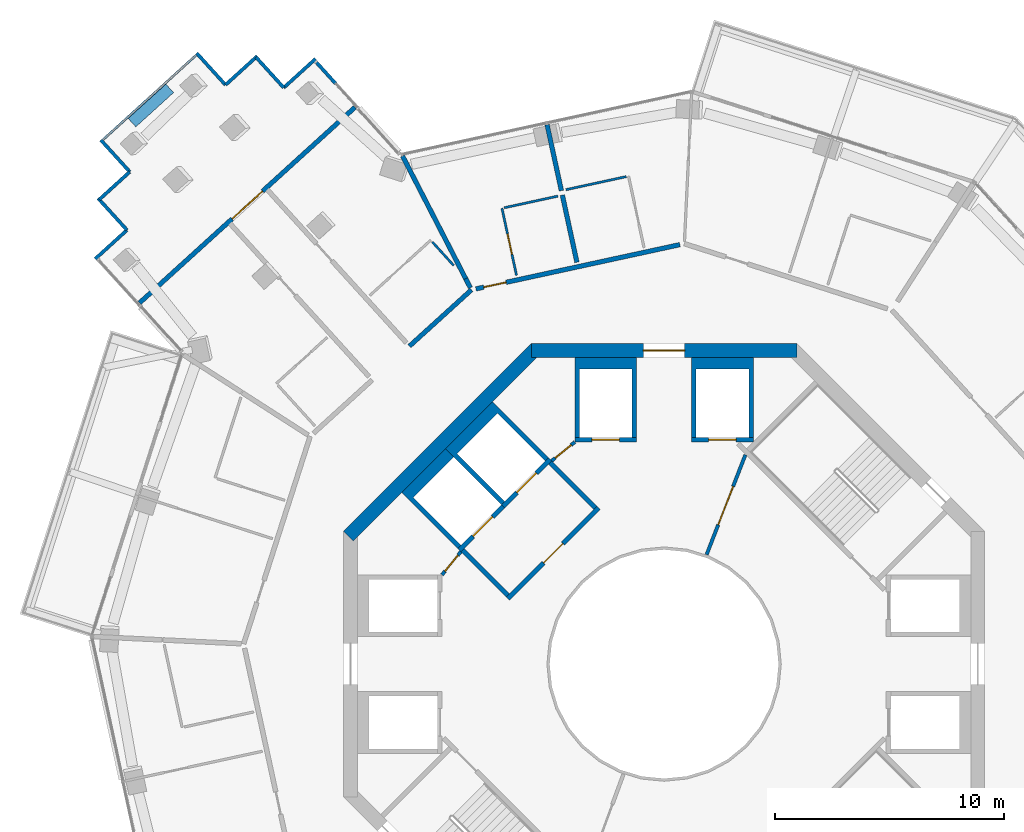
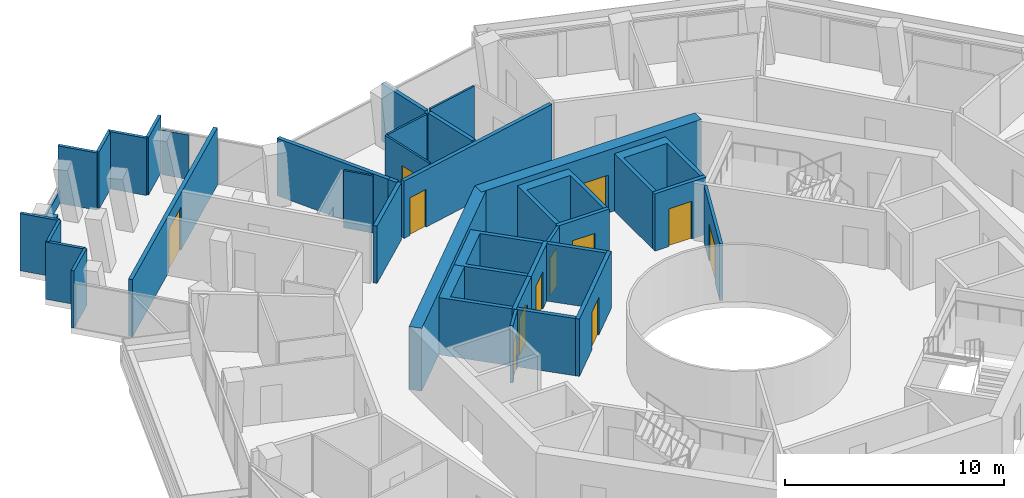
# One storey, part 18 of 23: 38 walls, 12 doors, 12 openings.
"""IFC4 building model written with IfcOpenShell, lengths in metres."""

from ifc_helpers import new_model, si_unit, direction, frame, frame_2d, origin, place, context, subcontext, project, spatial, polyline, rectangle, outline, extrude, material, layer, layer_set, type_object, element, fill, save


model = new_model("IFC4")

# Units and contexts
model_context = context("Model", 3, precision=1e-05, world=origin(), true_north=direction((0.0, 1.0)))
body_context = subcontext(model_context, "Body", "Model", "MODEL_VIEW")
ifc_project = project(units=[si_unit("LENGTHUNIT", "METRE"), si_unit("AREAUNIT", "SQUARE_METRE"), si_unit("VOLUMEUNIT", "CUBIC_METRE"), si_unit("PLANEANGLEUNIT", "RADIAN"), si_unit("MASSUNIT", "GRAM", prefix="KILO")], contexts=[model_context])

# Site, building, storey
site_placement = place(None, origin())
site = spatial("IfcSite", under=ifc_project, at=site_placement, CompositionType="ELEMENT")
building_placement = place(site_placement, origin())
building = spatial("IfcBuilding", under=site, at=building_placement, Name="Verdalira Terraces Hotel", CompositionType="ELEMENT")
storey_placement = place(building_placement, frame((0.0, 0.0, 205.5)))
storey = spatial("IfcBuildingStorey", under=building, at=storey_placement, Name="L50", CompositionType="ELEMENT", Elevation=205.5)

# Wall
ifc_material_1 = material(Name="Moisture-resistant gypsum board partition")
ifc_layer_1 = layer(ifc_material_1, 0.10009765625)
ifc_layer_set_1 = layer_set([ifc_layer_1], Name="Bathroom partition 100 mm")
wall_type_1 = type_object("IfcWallType", Name="Bathroom partition 100 mm", PredefinedType="PARTITIONING", material=ifc_layer_set_1)
wall_1_placement = place(storey_placement, frame((-10.125244, 18.439941, 0.0), z_axis=(0.0, 0.0, 1.0), x_axis=(0.672246935, -0.740326994, 0.0)))
element("IfcWall", 1, at=wall_1_placement, inside=storey, type_object=wall_type_1, Name="Bathroom partition", PredefinedType="PARTITIONING", context=body_context, shape_type="SweptSolid", body=[
    extrude(rectangle(XDim=1.398682, YDim=0.100098, at=frame_2d((0.699219, 0.0))), origin(), (0.0, 0.0, 1.0), 3.189941),
])

# Wall, opening, door
wall_2_placement = place(storey_placement, frame((-7.081787, 19.909424, 0.0), z_axis=(0.0, 0.0, 1.0), x_axis=(0.212007276, -0.977268088, 0.0)))
wall_2 = element("IfcWall", 2, at=wall_2_placement, inside=storey, type_object=wall_type_1, Name="Bathroom partition", PredefinedType="PARTITIONING", context=body_context, shape_type="SweptSolid", body=[
    extrude(rectangle(XDim=2.999756, YDim=0.100098, at=frame_2d((1.5, 0.0))), origin(), (0.0, 0.0, 1.0), 3.189941),
])
opening_1_placement = place(wall_2_placement, frame((1.149902, 0.0, 0.0)))
opening_1 = element("IfcOpeningElement", 3, at=opening_1_placement, cuts=wall_2, Name="Opening L50-134", PredefinedType="OPENING", context=body_context, shape_type="SweptSolid", body=[
    extrude(rectangle(XDim=0.899902, YDim=2.100098, at=frame_2d((0.449951, 1.050049))), frame((0.0, 0.060059, 0.0), z_axis=(0.0, -1.0, 0.0), x_axis=(1.0, 0.0, 0.0)), (0.0, 0.0, 1.0), 0.120117),
])
ifc_material_2 = material(Name="Timber door", Category="wood")
door_type_1 = type_object("IfcDoorType", Name="Bathroom door 900 x 2100", OperationType="NOTDEFINED", PredefinedType="DOOR", material=ifc_material_2)
door_1_placement = place(opening_1_placement, origin())
door_1 = element("IfcDoor", 4, at=door_1_placement, inside=storey, type_object=door_type_1, Name="Bathroom door 5013", OperationType="SINGLE_SWING_LEFT", OverallHeight=2.10009765625, OverallWidth=0.89990234375, PredefinedType="DOOR", context=body_context, shape_type="SweptSolid", body=[
    extrude(rectangle(XDim=0.899902, YDim=2.100098, at=frame_2d((0.449951, 1.050049))), frame((0.0, 0.024902, 0.0), z_axis=(0.0, -1.0, 0.0), x_axis=(1.0, 0.0, 0.0)), (0.0, 0.0, 1.0), 0.050049),
])
fill(opening_1, door_1)

# Walls
wall_3_placement = place(storey_placement, frame((-6.984131, 19.930664, 0.0), z_axis=(0.0, 0.0, 1.0), x_axis=(0.977266258, 0.212015707, 0.0)))
element("IfcWall", 5, at=wall_3_placement, inside=storey, type_object=wall_type_1, Name="Bathroom partition", PredefinedType="PARTITIONING", context=body_context, shape_type="SweptSolid", body=[
    extrude(rectangle(XDim=2.399658, YDim=0.100098, at=frame_2d((1.199707, 0.0))), origin(), (0.0, 0.0, 1.0), 3.189941),
])
wall_4_placement = place(storey_placement, frame((-1.651611, 21.292236, 0.0), z_axis=(0.0, 0.0, 1.0), x_axis=(-0.977261971, -0.212035467, 0.0)))
element("IfcWall", 6, at=wall_4_placement, inside=storey, type_object=wall_type_1, Name="Bathroom partition", PredefinedType="PARTITIONING", context=body_context, shape_type="SweptSolid", body=[
    extrude(rectangle(XDim=2.699951, YDim=0.100098, at=frame_2d((1.350098, 0.0))), origin(), (0.0, 0.0, 1.0), 3.189941),
])
ifc_material_3 = material(Name="Concrete C50", Category="concrete")
ifc_layer_2 = layer(ifc_material_3, 0.199951171875)
ifc_layer_set_2 = layer_set([ifc_layer_2], Name="Core RC wall 200 C50")
wall_type_2 = type_object("IfcWallType", Name="Core RC wall 200 C50", PredefinedType="SOLIDWALL", material=ifc_layer_set_2)
wall_5_placement = place(storey_placement, origin())
element("IfcWall", 7, at=wall_5_placement, inside=storey, type_object=wall_type_2, Name="L50 shaft wall N1", PredefinedType="SOLIDWALL", context=body_context, shape_type="SweptSolid", body=[
    extrude(outline(polyline([(3.899902, 9.899902), (3.699951, 9.899902), (3.699951, 12.899902), (1.399902, 12.899902), (1.399902, 9.899902), (1.199951, 9.899902), (1.199951, 13.399902), (3.899902, 13.399902), (3.899902, 9.899902)])), origin(), (0.0, 0.0, 1.0), 3.189941),
])

# Wall, opening, door
wall_6_placement = place(storey_placement, frame((1.199951, 9.800049, 0.0), z_axis=(0.0, 0.0, 1.0), x_axis=(1.0, 0.0, 0.0)))
wall_6 = element("IfcWall", 8, at=wall_6_placement, inside=storey, type_object=wall_type_2, Name="L50 shaft front wall N1", PredefinedType="SOLIDWALL", context=body_context, shape_type="SweptSolid", body=[
    extrude(rectangle(XDim=2.699951, YDim=0.199951, at=frame_2d((1.350098, 0.0))), origin(), (0.0, 0.0, 1.0), 3.189941),
])
opening_2_placement = place(wall_6_placement, frame((0.75, 0.0, 0.0)))
opening_2 = element("IfcOpeningElement", 9, at=opening_2_placement, cuts=wall_6, Name="Opening LD-L50-804", PredefinedType="OPENING", context=body_context, shape_type="SweptSolid", body=[
    extrude(rectangle(XDim=1.199951, YDim=2.100098, at=frame_2d((0.600098, 1.050049))), frame((0.0, 0.109863, 0.0), z_axis=(0.0, -1.0, 0.0), x_axis=(1.0, 0.0, 0.0)), (0.0, 0.0, 1.0), 0.219971),
])
ifc_material_4 = material(Name="Stainless steel", Category="steel")
door_type_2 = type_object("IfcDoorType", Name="Landing door 1200 x 2100", OperationType="NOTDEFINED", PredefinedType="DOOR", material=ifc_material_4)
door_2_placement = place(opening_2_placement, origin())
door_2 = element("IfcDoor", 10, at=door_2_placement, inside=storey, type_object=door_type_2, Name="Lift landing door HR3 L50", OperationType="DOUBLE_DOOR_SLIDING", OverallHeight=2.10009765625, OverallWidth=1.199951171875, PredefinedType="DOOR", context=body_context, shape_type="SweptSolid", body=[
    extrude(rectangle(XDim=1.199951, YDim=2.100098, at=frame_2d((0.600098, 1.050049))), frame((0.0, 0.024902, 0.0), z_axis=(0.0, -1.0, 0.0), x_axis=(1.0, 0.0, 0.0)), (0.0, 0.0, 1.0), 0.050049),
])
fill(opening_2, door_2)

# Wall
wall_7_placement = place(storey_placement, origin())
element("IfcWall", 11, at=wall_7_placement, inside=storey, type_object=wall_type_2, Name="L50 shaft wall N2", PredefinedType="SOLIDWALL", context=body_context, shape_type="SweptSolid", body=[
    extrude(outline(polyline([(-3.899902, 13.399902), (-1.199951, 13.399902), (-1.199951, 9.899902), (-1.399902, 9.899902), (-1.399902, 12.899902), (-3.699951, 12.899902), (-3.699951, 9.899902), (-3.899902, 9.899902), (-3.899902, 13.399902)])), origin(), (0.0, 0.0, 1.0), 3.189941),
])

# Wall, opening, door
wall_8_placement = place(storey_placement, frame((-1.199951, 9.800049, 0.0), z_axis=(0.0, 0.0, 1.0), x_axis=(-1.0, 0.0, 0.0)))
wall_8 = element("IfcWall", 12, at=wall_8_placement, inside=storey, type_object=wall_type_2, Name="L50 shaft front wall N2", PredefinedType="SOLIDWALL", context=body_context, shape_type="SweptSolid", body=[
    extrude(rectangle(XDim=2.699951, YDim=0.199951, at=frame_2d((1.350098, 0.0))), origin(), (0.0, 0.0, 1.0), 3.189941),
])
opening_3_placement = place(wall_8_placement, frame((0.75, 0.0, 0.0)))
opening_3 = element("IfcOpeningElement", 13, at=opening_3_placement, cuts=wall_8, Name="Opening LD-L50-805", PredefinedType="OPENING", context=body_context, shape_type="SweptSolid", body=[
    extrude(rectangle(XDim=1.199951, YDim=2.100098, at=frame_2d((0.600098, 1.050049))), frame((0.0, 0.109863, 0.0), z_axis=(0.0, -1.0, 0.0), x_axis=(1.0, 0.0, 0.0)), (0.0, 0.0, 1.0), 0.219971),
])
door_3_placement = place(opening_3_placement, origin())
door_3 = element("IfcDoor", 14, at=door_3_placement, inside=storey, type_object=door_type_2, Name="Lift landing door HR4 L50", OperationType="DOUBLE_DOOR_SLIDING", OverallHeight=2.10009765625, OverallWidth=1.199951171875, PredefinedType="DOOR", context=body_context, shape_type="SweptSolid", body=[
    extrude(rectangle(XDim=1.199951, YDim=2.100098, at=frame_2d((0.600098, 1.050049))), frame((0.0, 0.024902, 0.0), z_axis=(0.0, -1.0, 0.0), x_axis=(1.0, 0.0, 0.0)), (0.0, 0.0, 1.0), 0.050049),
])
fill(opening_3, door_3)

# Wall
wall_9_placement = place(storey_placement, origin())
element("IfcWall", 15, at=wall_9_placement, inside=storey, type_object=wall_type_2, Name="L50 shaft wall F1", PredefinedType="SOLIDWALL", context=body_context, shape_type="SweptSolid", body=[
    extrude(outline(polyline([(-9.545898, 9.404541), (-7.495361, 11.455078), (-5.055908, 9.015625), (-5.197266, 8.874268), (-7.283203, 10.960205), (-9.051025, 9.192383), (-6.965088, 7.106445), (-7.106445, 6.965088), (-9.545898, 9.404541)])), origin(), (0.0, 0.0, 1.0), 3.189941),
])

# Wall, opening, door
wall_10_placement = place(storey_placement, frame((-4.985107, 8.944824, 0.0), z_axis=(0.0, 0.0, 1.0), x_axis=(-0.707106781, -0.707106781, 0.0)))
wall_10 = element("IfcWall", 16, at=wall_10_placement, inside=storey, type_object=wall_type_2, Name="L50 shaft front wall F1", PredefinedType="SOLIDWALL", context=body_context, shape_type="SweptSolid", body=[
    extrude(rectangle(XDim=2.899902, YDim=0.199951, at=frame_2d((1.449951, 0.0))), origin(), (0.0, 0.0, 1.0), 3.189941),
])
opening_4_placement = place(wall_10_placement, frame((0.850098, 0.0, 0.0)))
opening_4 = element("IfcOpeningElement", 17, at=opening_4_placement, cuts=wall_10, Name="Opening LD-L50-808", PredefinedType="OPENING", context=body_context, shape_type="SweptSolid", body=[
    extrude(rectangle(XDim=1.199951, YDim=2.100098, at=frame_2d((0.600098, 1.050049))), frame((0.0, 0.109863, 0.0), z_axis=(0.0, -1.0, 0.0), x_axis=(1.0, 0.0, 0.0)), (0.0, 0.0, 1.0), 0.219971),
])
door_4_placement = place(opening_4_placement, origin())
door_4 = element("IfcDoor", 18, at=door_4_placement, inside=storey, type_object=door_type_2, Name="Lift landing door LF11 L50", OperationType="DOUBLE_DOOR_SLIDING", OverallHeight=2.10009765625, OverallWidth=1.199951171875, PredefinedType="DOOR", context=body_context, shape_type="SweptSolid", body=[
    extrude(rectangle(XDim=1.199951, YDim=2.100098, at=frame_2d((0.600098, 1.050049))), frame((0.0, 0.024902, 0.0), z_axis=(0.0, -1.0, 0.0), x_axis=(1.0, 0.0, 0.0)), (0.0, 0.0, 1.0), 0.050049),
])
fill(opening_4, door_4)

# Wall
wall_11_placement = place(storey_placement, origin())
element("IfcWall", 19, at=wall_11_placement, inside=storey, type_object=wall_type_2, Name="L50 shaft wall F2", PredefinedType="SOLIDWALL", context=body_context, shape_type="SweptSolid", body=[
    extrude(outline(polyline([(-11.455078, 7.495361), (-9.545898, 9.404541), (-9.192383, 9.051025), (-10.960205, 7.283203), (-8.874268, 5.197266), (-9.015625, 5.055908), (-11.455078, 7.495361)])), origin(), (0.0, 0.0, 1.0), 3.189941),
])

# Wall, opening, door
wall_12_placement = place(storey_placement, frame((-7.035645, 6.894287, 0.0), z_axis=(0.0, 0.0, 1.0), x_axis=(-0.707106781, -0.707106781, 0.0)))
wall_12 = element("IfcWall", 20, at=wall_12_placement, inside=storey, type_object=wall_type_2, Name="L50 shaft front wall F2", PredefinedType="SOLIDWALL", context=body_context, shape_type="SweptSolid", body=[
    extrude(rectangle(XDim=2.699951, YDim=0.199951, at=frame_2d((1.350098, 0.0))), origin(), (0.0, 0.0, 1.0), 3.189941),
])
opening_5_placement = place(wall_12_placement, frame((0.649902, 0.0, 0.0)))
opening_5 = element("IfcOpeningElement", 21, at=opening_5_placement, cuts=wall_12, Name="Opening LD-L50-809", PredefinedType="OPENING", context=body_context, shape_type="SweptSolid", body=[
    extrude(rectangle(XDim=1.199951, YDim=2.100098, at=frame_2d((0.600098, 1.050049))), frame((0.0, 0.109863, 0.0), z_axis=(0.0, -1.0, 0.0), x_axis=(1.0, 0.0, 0.0)), (0.0, 0.0, 1.0), 0.219971),
])
door_5_placement = place(opening_5_placement, origin())
door_5 = element("IfcDoor", 22, at=door_5_placement, inside=storey, type_object=door_type_2, Name="Lift landing door LF12 L50", OperationType="DOUBLE_DOOR_SLIDING", OverallHeight=2.10009765625, OverallWidth=1.199951171875, PredefinedType="DOOR", context=body_context, shape_type="SweptSolid", body=[
    extrude(rectangle(XDim=1.199951, YDim=2.100098, at=frame_2d((0.600098, 1.050049))), frame((0.0, 0.024902, 0.0), z_axis=(0.0, -1.0, 0.0), x_axis=(1.0, 0.0, 0.0)), (0.0, 0.0, 1.0), 0.050049),
])
fill(opening_5, door_5)

wall_13_placement = place(storey_placement, frame((-2.86377, 6.823486, 0.0), z_axis=(0.0, 0.0, 1.0), x_axis=(-0.707106781, -0.707106781, 0.0)))
wall_13 = element("IfcWall", 23, at=wall_13_placement, inside=storey, type_object=wall_type_2, Name="L50 fire lobby wall", PredefinedType="SOLIDWALL", context=body_context, shape_type="SweptSolid", body=[
    extrude(rectangle(XDim=5.599854, YDim=0.199951, at=frame_2d((2.799805, 0.0))), origin(), (0.0, 0.0, 1.0), 3.189941),
])
opening_6_placement = place(wall_13_placement, frame((2.199951, 0.0, 0.0)))
opening_6 = element("IfcOpeningElement", 24, at=opening_6_placement, cuts=wall_13, Name="Opening L50-819", PredefinedType="OPENING", context=body_context, shape_type="SweptSolid", body=[
    extrude(rectangle(XDim=1.199951, YDim=2.100098, at=frame_2d((0.600098, 1.050049))), frame((0.0, 0.109863, 0.0), z_axis=(0.0, -1.0, 0.0), x_axis=(1.0, 0.0, 0.0)), (0.0, 0.0, 1.0), 0.219971),
])
ifc_material_5 = material(Name="Steel fire door", Category="steel")
door_type_3 = type_object("IfcDoorType", Name="Lobby door 1200 x 2100", OperationType="NOTDEFINED", PredefinedType="DOOR", material=ifc_material_5)
door_6_placement = place(opening_6_placement, origin())
door_6 = element("IfcDoor", 25, at=door_6_placement, inside=storey, type_object=door_type_3, Name="Fire lobby door L50", OperationType="SINGLE_SWING_LEFT", OverallHeight=2.10009765625, OverallWidth=1.199951171875, PredefinedType="DOOR", context=body_context, shape_type="SweptSolid", body=[
    extrude(rectangle(XDim=1.199951, YDim=2.100098, at=frame_2d((0.600098, 1.050049))), frame((0.0, 0.024902, 0.0), z_axis=(0.0, -1.0, 0.0), x_axis=(1.0, 0.0, 0.0)), (0.0, 0.0, 1.0), 0.050049),
])
fill(opening_6, door_6)

# Walls
for number, where, z_axis, x_axis, name in (
    (26, (-3.005127, 6.823486, 0.0), (0.0, 0.0, 1.0), (-0.707106781, 0.707106781, 0.0), "L50 fire lobby wall"),
    (27, (-6.823486, 3.005127, 0.0), (0.0, 0.0, 1.0), (-0.707106781, 0.707106781, 0.0), "L50 fire lobby wall"),
):
    element("IfcWall", number, at=place(storey_placement, frame(where, z_axis=z_axis, x_axis=x_axis)), inside=storey, type_object=wall_type_2, Name=name, PredefinedType="SOLIDWALL", context=body_context, shape_type="SweptSolid", body=[
        extrude(rectangle(XDim=2.800049, YDim=0.199951, at=frame_2d((1.399902, 0.0))), origin(), (0.0, 0.0, 1.0), 3.189941),
    ])

# Wall, opening, door
ifc_material_6 = material(Name="Gypsum board partition")
ifc_layer_3 = layer(ifc_material_6, 0.14990234375)
ifc_layer_set_3 = layer_set([ifc_layer_3], Name="Core partition 150 mm")
wall_type_3 = type_object("IfcWallType", Name="Core partition 150 mm", PredefinedType="PARTITIONING", material=ifc_layer_set_3)
wall_14_placement = place(storey_placement, frame((-3.899902, 9.699951, 0.0), z_axis=(0.0, 0.0, 1.0), x_axis=(-0.775559878, -0.631274009, 0.0)))
wall_14 = element("IfcWall", 28, at=wall_14_placement, inside=storey, type_object=wall_type_3, Name="Room partition L50", PredefinedType="PARTITIONING", context=body_context, shape_type="SweptSolid", body=[
    extrude(rectangle(XDim=1.307861, YDim=0.149902, at=frame_2d((0.653809, 0.0))), origin(), (0.0, 0.0, 1.0), 3.189941),
])
opening_7_placement = place(wall_14_placement, frame((0.204102, 0.0, 0.0)))
opening_7 = element("IfcOpeningElement", 29, at=opening_7_placement, cuts=wall_14, Name="Opening L50-820", PredefinedType="OPENING", context=body_context, shape_type="SweptSolid", body=[
    extrude(rectangle(XDim=0.899902, YDim=2.100098, at=frame_2d((0.449951, 1.050049))), frame((0.0, 0.084961, 0.0), z_axis=(0.0, -1.0, 0.0), x_axis=(1.0, 0.0, 0.0)), (0.0, 0.0, 1.0), 0.169922),
])
ifc_material_7 = material(Name="Steel fire door", Category="steel")
door_type_4 = type_object("IfcDoorType", Name="Core room door 900 x 2100", OperationType="NOTDEFINED", PredefinedType="DOOR", material=ifc_material_7)
door_7_placement = place(opening_7_placement, origin())
door_7 = element("IfcDoor", 30, at=door_7_placement, inside=storey, type_object=door_type_4, Name="Door L50 room2", OperationType="SINGLE_SWING_LEFT", OverallHeight=2.10009765625, OverallWidth=0.89990234375, PredefinedType="DOOR", context=body_context, shape_type="SweptSolid", body=[
    extrude(rectangle(XDim=0.899902, YDim=2.100098, at=frame_2d((0.449951, 1.050049))), frame((0.0, 0.024902, 0.0), z_axis=(0.0, -1.0, 0.0), x_axis=(1.0, 0.0, 0.0)), (0.0, 0.0, 1.0), 0.050049),
])
fill(opening_7, door_7)

wall_15_placement = place(storey_placement, frame((-8.874268, 4.914307, 0.0), z_axis=(0.0, 0.0, 1.0), x_axis=(-0.631274009, -0.775559878, 0.0)))
wall_15 = element("IfcWall", 31, at=wall_15_placement, inside=storey, type_object=wall_type_3, Name="Room partition L50", PredefinedType="PARTITIONING", context=body_context, shape_type="SweptSolid", body=[
    extrude(rectangle(XDim=1.307861, YDim=0.149902, at=frame_2d((0.653809, 0.0))), origin(), (0.0, 0.0, 1.0), 3.189941),
])
opening_8_placement = place(wall_15_placement, frame((0.204102, 0.0, 0.0)))
opening_8 = element("IfcOpeningElement", 32, at=opening_8_placement, cuts=wall_15, Name="Opening L50-821", PredefinedType="OPENING", context=body_context, shape_type="SweptSolid", body=[
    extrude(rectangle(XDim=0.899902, YDim=2.100098, at=frame_2d((0.449951, 1.050049))), frame((0.0, 0.084961, 0.0), z_axis=(0.0, -1.0, 0.0), x_axis=(1.0, 0.0, 0.0)), (0.0, 0.0, 1.0), 0.169922),
])
door_8_placement = place(opening_8_placement, origin())
door_8 = element("IfcDoor", 33, at=door_8_placement, inside=storey, type_object=door_type_4, Name="Door L50 room3", OperationType="SINGLE_SWING_LEFT", OverallHeight=2.10009765625, OverallWidth=0.89990234375, PredefinedType="DOOR", context=body_context, shape_type="SweptSolid", body=[
    extrude(rectangle(XDim=0.899902, YDim=2.100098, at=frame_2d((0.449951, 1.050049))), frame((0.0, 0.024902, 0.0), z_axis=(0.0, -1.0, 0.0), x_axis=(1.0, 0.0, 0.0)), (0.0, 0.0, 1.0), 0.050049),
])
fill(opening_8, door_8)

wall_16_placement = place(storey_placement, frame((1.857178, 4.781982, 0.0), z_axis=(0.0, 0.0, 1.0), x_axis=(0.362053096, 0.932157474, 0.0)))
wall_16 = element("IfcWall", 34, at=wall_16_placement, inside=storey, type_object=wall_type_3, Name="Gallery fire partition L50", PredefinedType="PARTITIONING", context=body_context, shape_type="SweptSolid", body=[
    extrude(rectangle(XDim=4.675049, YDim=0.149902, at=frame_2d((2.337402, 0.0))), origin(), (0.0, 0.0, 1.0), 3.189941),
])
opening_9_placement = place(wall_16_placement, frame((1.399902, 0.0, 0.0)))
opening_9 = element("IfcOpeningElement", 35, at=opening_9_placement, cuts=wall_16, Name="Opening L50-823", PredefinedType="OPENING", context=body_context, shape_type="SweptSolid", body=[
    extrude(rectangle(XDim=1.800049, YDim=2.100098, at=frame_2d((0.899902, 1.050049))), frame((0.0, 0.084961, 0.0), z_axis=(0.0, -1.0, 0.0), x_axis=(1.0, 0.0, 0.0)), (0.0, 0.0, 1.0), 0.169922),
])
ifc_material_8 = material(Name="Steel fire door", Category="steel")
door_type_5 = type_object("IfcDoorType", Name="Gallery fire door pair 1800 x 2100", OperationType="NOTDEFINED", PredefinedType="DOOR", material=ifc_material_8)
door_9_placement = place(opening_9_placement, origin())
door_9 = element("IfcDoor", 36, at=door_9_placement, inside=storey, type_object=door_type_5, Name="Door L50 split1", OperationType="DOUBLE_DOOR_SINGLE_SWING", OverallHeight=2.10009765625, OverallWidth=1.800048828125, PredefinedType="DOOR", context=body_context, shape_type="SweptSolid", body=[
    extrude(rectangle(XDim=1.800049, YDim=2.100098, at=frame_2d((0.899902, 1.050049))), frame((0.0, 0.024902, 0.0), z_axis=(0.0, -1.0, 0.0), x_axis=(1.0, 0.0, 0.0)), (0.0, 0.0, 1.0), 0.050049),
])
fill(opening_9, door_9)

ifc_material_9 = material(Name="Concrete C60", Category="concrete")
ifc_layer_4 = layer(ifc_material_9, 0.60009765625)
ifc_layer_set_4 = layer_set([ifc_layer_4], Name="Core wall 600 C60")
wall_type_4 = type_object("IfcWallType", Name="Core wall 600 C60", PredefinedType="SHEAR", material=ifc_layer_set_4)
wall_17_placement = place(storey_placement, frame((5.799072, 13.699951, 0.0), z_axis=(0.0, 0.0, 1.0), x_axis=(-1.0, 0.0, 0.0)))
wall_17 = element("IfcWall", 37, at=wall_17_placement, inside=storey, type_object=wall_type_4, Name="Core wall CW-L50-3", PredefinedType="SHEAR", context=body_context, shape_type="SweptSolid", body=[
    extrude(rectangle(XDim=11.598145, YDim=0.600098, at=frame_2d((5.799072, 0.0))), origin(), (0.0, 0.0, 1.0), 3.5),
])
opening_10_placement = place(wall_17_placement, frame((4.898926, 0.0, 0.0)))
opening_10 = element("IfcOpeningElement", 38, at=opening_10_placement, cuts=wall_17, Name="Opening L50-814", PredefinedType="OPENING", context=body_context, shape_type="SweptSolid", body=[
    extrude(rectangle(XDim=1.800049, YDim=2.100098, at=frame_2d((0.899902, 1.050049))), frame((0.0, 0.310059, 0.0), z_axis=(0.0, -1.0, 0.0), x_axis=(1.0, 0.0, 0.0)), (0.0, 0.0, 1.0), 0.620117),
])
ifc_material_10 = material(Name="Steel fire door", Category="steel")
door_type_6 = type_object("IfcDoorType", Name="Core entry door pair 1800 x 2100", OperationType="NOTDEFINED", PredefinedType="DOOR", material=ifc_material_10)
door_10_placement = place(opening_10_placement, origin())
door_10 = element("IfcDoor", 39, at=door_10_placement, inside=storey, type_object=door_type_6, Name="Core entry door L50 2", OperationType="DOUBLE_DOOR_SINGLE_SWING", OverallHeight=2.10009765625, OverallWidth=1.800048828125, PredefinedType="DOOR", context=body_context, shape_type="SweptSolid", body=[
    extrude(rectangle(XDim=1.800049, YDim=2.100098, at=frame_2d((0.899902, 1.050049))), frame((0.0, 0.024902, 0.0), z_axis=(0.0, -1.0, 0.0), x_axis=(1.0, 0.0, 0.0)), (0.0, 0.0, 1.0), 0.050049),
])
fill(opening_10, door_10)

# Walls
wall_18_placement = place(storey_placement, frame((-5.586914, 13.787842, 0.0), z_axis=(0.0, 0.0, 1.0), x_axis=(-0.707106781, -0.707106781, 0.0)))
element("IfcWall", 40, at=wall_18_placement, inside=storey, type_object=wall_type_4, Name="Core wall CW-L50-4", PredefinedType="SHEAR", context=body_context, shape_type="SweptSolid", body=[
    extrude(rectangle(XDim=11.5979, YDim=0.600098, at=frame_2d((5.798828, 0.0))), origin(), (0.0, 0.0, 1.0), 3.5),
])
ifc_material_11 = material(Name="Fire-rated gypsum board wall")
ifc_layer_5 = layer(ifc_material_11, 0.199951171875)
ifc_layer_set_5 = layer_set([ifc_layer_5], Name="Demising wall 200 mm")
wall_type_5 = type_object("IfcWallType", Name="Demising wall 200 mm", PredefinedType="SOLIDWALL", material=ifc_layer_set_5)
wall_19_placement = place(storey_placement, frame((-11.426514, 22.195557, 0.0), z_axis=(0.0, 0.0, 1.0), x_axis=(0.457722012, -0.88909536, 0.0)))
element("IfcWall", 41, at=wall_19_placement, inside=storey, type_object=wall_type_5, Name="Demising wall", PredefinedType="SOLIDWALL", context=body_context, shape_type="SweptSolid", body=[
    extrude(rectangle(XDim=6.031982, YDim=0.199951, at=frame_2d((3.016113, 0.0))), origin(), (0.0, 0.0, 1.0), 3.189941),
])
wall_20_placement = place(storey_placement, frame((-8.665527, 16.83252, 0.0), z_axis=(0.0, 0.0, 1.0), x_axis=(0.457745769, -0.889083129, 0.0)))
element("IfcWall", 42, at=wall_20_placement, inside=storey, type_object=wall_type_5, Name="Demising wall", PredefinedType="SOLIDWALL", context=body_context, shape_type="SweptSolid", body=[
    extrude(rectangle(XDim=0.443848, YDim=0.199951, at=frame_2d((0.221924, 0.0))), origin(), (0.0, 0.0, 1.0), 3.189941),
])
wall_21_placement = place(storey_placement, frame((-4.485596, 20.67749, 0.0), z_axis=(0.0, 0.0, 1.0), x_axis=(-0.212037924, 0.977261438, 0.0)))
element("IfcWall", 43, at=wall_21_placement, inside=storey, type_object=wall_type_5, Name="Demising wall", PredefinedType="SOLIDWALL", context=body_context, shape_type="SweptSolid", body=[
    extrude(rectangle(XDim=2.949951, YDim=0.199951, at=frame_2d((1.475098, 0.0))), origin(), (0.0, 0.0, 1.0), 3.189941),
])
wall_22_placement = place(storey_placement, frame((-3.807373, 17.550049, 0.0), z_axis=(0.0, 0.0, 1.0), x_axis=(-0.211933299, 0.977284133, 0.0)))
element("IfcWall", 44, at=wall_22_placement, inside=storey, type_object=wall_type_5, Name="Demising wall", PredefinedType="SOLIDWALL", context=body_context, shape_type="SweptSolid", body=[
    extrude(rectangle(XDim=3.001953, YDim=0.199951, at=frame_2d((1.500977, 0.0))), origin(), (0.0, 0.0, 1.0), 3.189941),
])
ifc_material_12 = material(Name="Fire-rated gypsum board wall")
ifc_layer_6 = layer(ifc_material_12, 0.199951171875)
ifc_layer_set_6 = layer_set([ifc_layer_6], Name="Guest corridor wall 200 mm")
wall_type_6 = type_object("IfcWallType", Name="Guest corridor wall 200 mm", PredefinedType="SOLIDWALL", material=ifc_layer_set_6)
wall_23_placement = place(storey_placement, frame((-8.415039, 16.345947, 0.0), z_axis=(0.0, 0.0, 1.0), x_axis=(-0.74032347, -0.672250817, 0.0)))
element("IfcWall", 45, at=wall_23_placement, inside=storey, type_object=wall_type_6, Name="Guest corridor wall", PredefinedType="SOLIDWALL", context=body_context, shape_type="SweptSolid", body=[
    extrude(rectangle(XDim=3.658203, YDim=0.199951, at=frame_2d((1.829102, 0.0))), origin(), (0.0, 0.0, 1.0), 3.189941),
])

# Wall, opening, door
wall_24_placement = place(storey_placement, frame((-8.219482, 16.388184, 0.0), z_axis=(0.0, 0.0, 1.0), x_axis=(0.977265465, 0.212019365, 0.0)))
wall_24 = element("IfcWall", 46, at=wall_24_placement, inside=storey, type_object=wall_type_6, Name="Guest corridor wall", PredefinedType="SOLIDWALL", context=body_context, shape_type="SweptSolid", body=[
    extrude(rectangle(XDim=9.116455, YDim=0.199951, at=frame_2d((4.558105, 0.0))), origin(), (0.0, 0.0, 1.0), 3.189941),
])
opening_11_placement = place(wall_24_placement, frame((0.350098, 0.0, 0.0)))
opening_11 = element("IfcOpeningElement", 47, at=opening_11_placement, cuts=wall_24, Name="Opening L50-133", PredefinedType="OPENING", context=body_context, shape_type="SweptSolid", body=[
    extrude(rectangle(XDim=1.0, YDim=2.100098, at=frame_2d((0.5, 1.050049))), frame((0.0, 0.109863, 0.0), z_axis=(0.0, -1.0, 0.0), x_axis=(1.0, 0.0, 0.0)), (0.0, 0.0, 1.0), 0.219971),
])
ifc_material_13 = material(Name="Timber fire door", Category="wood")
door_type_7 = type_object("IfcDoorType", Name="Guest entry door 1000 x 2100", OperationType="NOTDEFINED", PredefinedType="DOOR", material=ifc_material_13)
door_11_placement = place(opening_11_placement, origin())
door_11 = element("IfcDoor", 48, at=door_11_placement, inside=storey, type_object=door_type_7, Name="Guest entry door 5013", OperationType="SINGLE_SWING_LEFT", OverallHeight=2.10009765625, OverallWidth=1.0, PredefinedType="DOOR", context=body_context, shape_type="SweptSolid", body=[
    extrude(rectangle(XDim=1.0, YDim=2.100098, at=frame_2d((0.5, 1.050049))), frame((0.0, 0.024902, 0.0), z_axis=(0.0, -1.0, 0.0), x_axis=(1.0, 0.0, 0.0)), (0.0, 0.0, 1.0), 0.050049),
])
fill(opening_11, door_11)

ifc_material_14 = material(Name="Terracotta cladding", Category="masonry")
ifc_layer_7 = layer(ifc_material_14, 0.199951171875)
ifc_layer_set_7 = layer_set([ifc_layer_7], Name="Loggia back wall 200")
wall_type_7 = type_object("IfcWallType", Name="Loggia back wall 200", PredefinedType="SOLIDWALL", material=ifc_layer_set_7)
wall_25_placement = place(storey_placement, frame((-22.906494, 15.780762, 0.0), z_axis=(0.0, 0.0, 1.0), x_axis=(0.740340942, 0.672231575, 0.0)))
wall_25 = element("IfcWall", 49, at=wall_25_placement, inside=storey, type_object=wall_type_7, Name="Loggia back wall", PredefinedType="SOLIDWALL", context=body_context, shape_type="SweptSolid", body=[
    extrude(rectangle(XDim=12.699951, YDim=0.199951, at=frame_2d((6.350098, 0.0))), origin(), (0.0, 0.0, 1.0), 3.189941),
])
opening_12_placement = place(wall_25_placement, frame((5.449951, 0.0, 0.0)))
opening_12 = element("IfcOpeningElement", 50, at=opening_12_placement, cuts=wall_25, Name="Opening L50-L01", PredefinedType="OPENING", context=body_context, shape_type="SweptSolid", body=[
    extrude(rectangle(XDim=1.800049, YDim=2.399902, at=frame_2d((0.899902, 1.199951))), frame((0.0, 0.109863, 0.0), z_axis=(0.0, -1.0, 0.0), x_axis=(1.0, 0.0, 0.0)), (0.0, 0.0, 1.0), 0.219971),
])
ifc_material_15 = material(Name="Clear glass", Category="glass")
door_type_8 = type_object("IfcDoorType", Name="Garden double door 1800x2400", OperationType="NOTDEFINED", PredefinedType="DOOR", material=ifc_material_15)
door_12_placement = place(opening_12_placement, origin())
door_12 = element("IfcDoor", 51, at=door_12_placement, inside=storey, type_object=door_type_8, Name="Loggia double door", OperationType="DOUBLE_DOOR_SINGLE_SWING", OverallHeight=2.39990234375, OverallWidth=1.800048828125, PredefinedType="DOOR", context=body_context, shape_type="SweptSolid", body=[
    extrude(rectangle(XDim=1.800049, YDim=2.399902, at=frame_2d((0.899902, 1.199951))), frame((0.0, 0.024902, 0.0), z_axis=(0.0, -1.0, 0.0), x_axis=(1.0, 0.0, 0.0)), (0.0, 0.0, 1.0), 0.050049),
])
fill(opening_12, door_12)

# Walls
ifc_material_16 = material(Name="Concrete C40", Category="concrete")
ifc_layer_8 = layer(ifc_material_16, 0.5)
ifc_layer_set_8 = layer_set([ifc_layer_8], Name="Loggia planter trough with tree")
wall_type_8 = type_object("IfcWallType", Name="Loggia planter trough with tree", PredefinedType="SOLIDWALL", material=ifc_layer_set_8)
wall_26_placement = place(storey_placement, frame((-21.592285, 25.145996, 0.0), z_axis=(0.0, 0.0, 1.0), x_axis=(-0.740356331, -0.672214626, 0.0)))
element("IfcWall", 52, at=wall_26_placement, inside=storey, type_object=wall_type_8, Name="Loggia planter", PredefinedType="SOLIDWALL", context=body_context, shape_type="SweptSolid", body=[
    extrude(rectangle(XDim=2.228516, YDim=0.5, at=frame_2d((1.114258, 0.0))), origin(), (0.0, 0.0, 1.0), 0.699951),
])
ifc_material_17 = material(Name="Concrete C40", Category="concrete")
ifc_layer_9 = layer(ifc_material_17, 0.10009765625)
ifc_layer_set_9 = layer_set([ifc_layer_9], Name="Loggia upstand 100")
wall_type_9 = type_object("IfcWallType", Name="Loggia upstand 100", PredefinedType="SOLIDWALL", material=ifc_layer_set_9)
wall_27_placement = place(storey_placement, frame((-20.437988, 26.599121, 0.0), z_axis=(0.0, 0.0, 1.0), x_axis=(-0.74033363, -0.672239627, 0.0)))
element("IfcWall", 53, at=wall_27_placement, inside=storey, type_object=wall_type_9, Name="Loggia upstand", PredefinedType="SOLIDWALL", context=body_context, shape_type="SweptSolid", body=[
    extrude(rectangle(XDim=5.5, YDim=0.100098, at=frame_2d((2.75, 0.0))), origin(), (0.0, 0.0, 1.0), 0.699951),
])
ifc_material_18 = material(Name="Terracotta cladding", Category="masonry")
ifc_layer_10 = layer(ifc_material_18, 0.14990234375)
ifc_layer_set_10 = layer_set([ifc_layer_10], Name="Terracotta clad wall 150")
wall_type_10 = type_object("IfcWallType", Name="Terracotta clad wall 150", PredefinedType="SOLIDWALL", material=ifc_layer_set_10)
wall_28_placement = place(storey_placement, frame((-15.224854, 26.436523, 0.0), z_axis=(0.0, 0.0, 1.0), x_axis=(-0.740334679, -0.672238472, 0.0)))
element("IfcWall", 54, at=wall_28_placement, inside=storey, type_object=wall_type_10, Name="Terracotta cladding wall", PredefinedType="SOLIDWALL", context=body_context, shape_type="SweptSolid", body=[
    extrude(rectangle(XDim=1.875, YDim=0.149902, at=frame_2d((0.9375, 0.0))), origin(), (0.0, 0.0, 1.0), 3.189941),
])
wall_29_placement = place(storey_placement, frame((-16.613037, 25.176025, 0.0), z_axis=(0.0, 0.0, 1.0), x_axis=(-0.67224059, 0.740332756, 0.0)))
element("IfcWall", 55, at=wall_29_placement, inside=storey, type_object=wall_type_10, Name="Terracotta cladding wall", PredefinedType="SOLIDWALL", context=body_context, shape_type="SweptSolid", body=[
    extrude(rectangle(XDim=1.799805, YDim=0.149902, at=frame_2d((0.899902, 0.0))), origin(), (0.0, 0.0, 1.0), 3.189941),
])
for number, where, z_axis, x_axis, name in (
    (56, (-17.767578, 26.559082, 0.0), (0.0, 0.0, 1.0), (-0.740334679, -0.672238472, 0.0), "Terracotta cladding wall"),
    (57, (-19.155762, 25.298584, 0.0), (0.0, 0.0, 1.0), (-0.672167098, 0.740399481, 0.0), "Terracotta cladding wall"),
    (58, (-24.599121, 22.888428, 0.0), (0.0, 0.0, 1.0), (0.672303275, -0.740275831, 0.0), "Terracotta cladding wall"),
):
    element("IfcWall", number, at=place(storey_placement, frame(where, z_axis=z_axis, x_axis=x_axis)), inside=storey, type_object=wall_type_10, Name=name, PredefinedType="SOLIDWALL", context=body_context, shape_type="SweptSolid", body=[
        extrude(rectangle(XDim=1.875, YDim=0.149902, at=frame_2d((0.9375, 0.0))), origin(), (0.0, 0.0, 1.0), 3.189941),
    ])
wall_30_placement = place(storey_placement, frame((-23.338623, 21.500488, 0.0), z_axis=(0.0, 0.0, 1.0), x_axis=(-0.740265252, -0.672314924, 0.0)))
element("IfcWall", 59, at=wall_30_placement, inside=storey, type_object=wall_type_10, Name="Terracotta cladding wall", PredefinedType="SOLIDWALL", context=body_context, shape_type="SweptSolid", body=[
    extrude(rectangle(XDim=1.800049, YDim=0.149902, at=frame_2d((0.899902, 0.0))), origin(), (0.0, 0.0, 1.0), 3.189941),
])
for number, where, z_axis, x_axis, name in (
    (60, (-24.72168, 20.345947, 0.0), (0.0, 0.0, 1.0), (0.672238472, -0.740334679, 0.0), "Terracotta cladding wall"),
    (61, (-23.461182, 18.957764, 0.0), (0.0, 0.0, 1.0), (-0.740334679, -0.672238472, 0.0), "Terracotta cladding wall"),
):
    element("IfcWall", number, at=place(storey_placement, frame(where, z_axis=z_axis, x_axis=x_axis)), inside=storey, type_object=wall_type_10, Name=name, PredefinedType="SOLIDWALL", context=body_context, shape_type="SweptSolid", body=[
        extrude(rectangle(XDim=1.875, YDim=0.149902, at=frame_2d((0.9375, 0.0))), origin(), (0.0, 0.0, 1.0), 3.189941),
    ])
ifc_material_19 = material(Name="Terracotta cladding", Category="masonry")
ifc_layer_11 = layer(ifc_material_19, 0.14990234375)
ifc_layer_set_11 = layer_set([ifc_layer_11], Name="Terracotta column pier 150")
wall_type_11 = type_object("IfcWallType", Name="Terracotta column pier 150", PredefinedType="SOLIDWALL", material=ifc_layer_set_11)
wall_31_placement = place(storey_placement, frame((-14.32251, 25.331055, 0.0), z_axis=(0.0, 0.0, 1.0), x_axis=(-0.672235916, 0.740337, 0.0)))
element("IfcWall", 62, at=wall_31_placement, inside=storey, type_object=wall_type_11, Name="Terracotta column pier", PredefinedType="SOLIDWALL", context=body_context, shape_type="SweptSolid", body=[
    extrude(rectangle(XDim=1.279785, YDim=0.149902, at=frame_2d((0.639893, 0.0))), origin(), (0.0, 0.0, 1.0), 2.475098),
])

save(model, "model.ifc")
